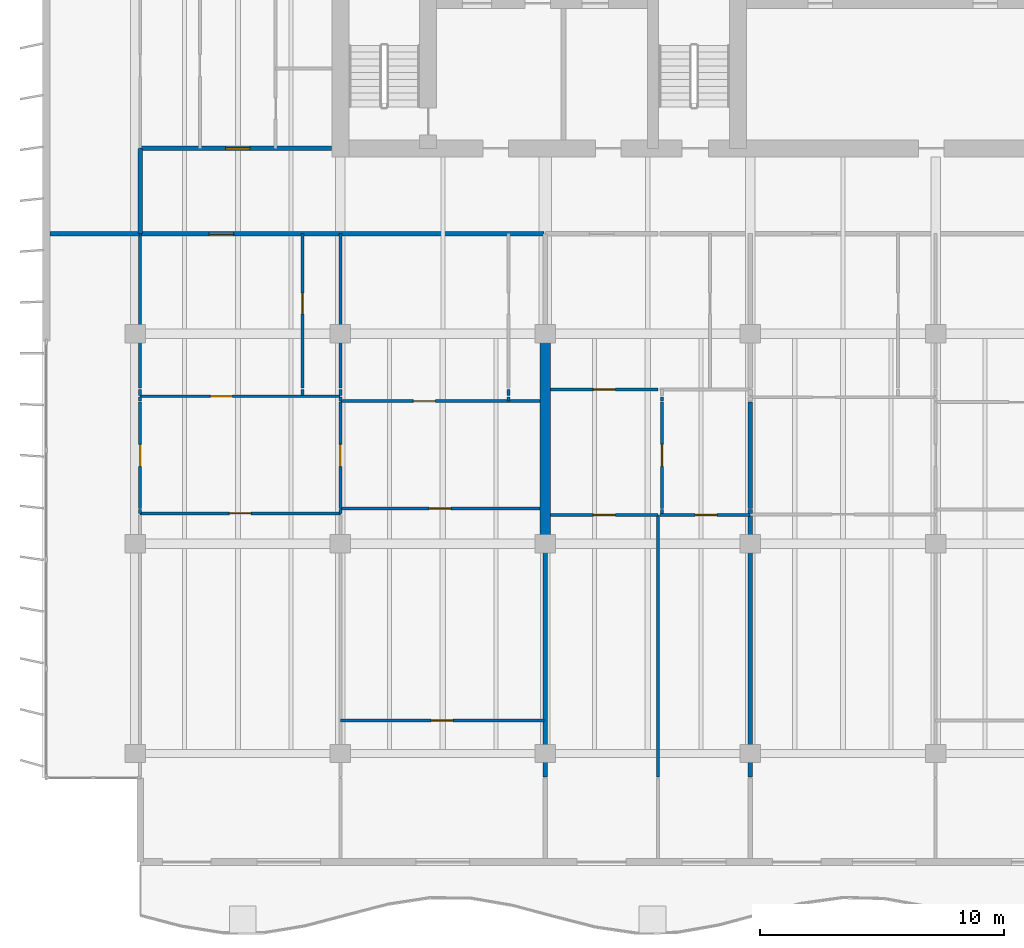
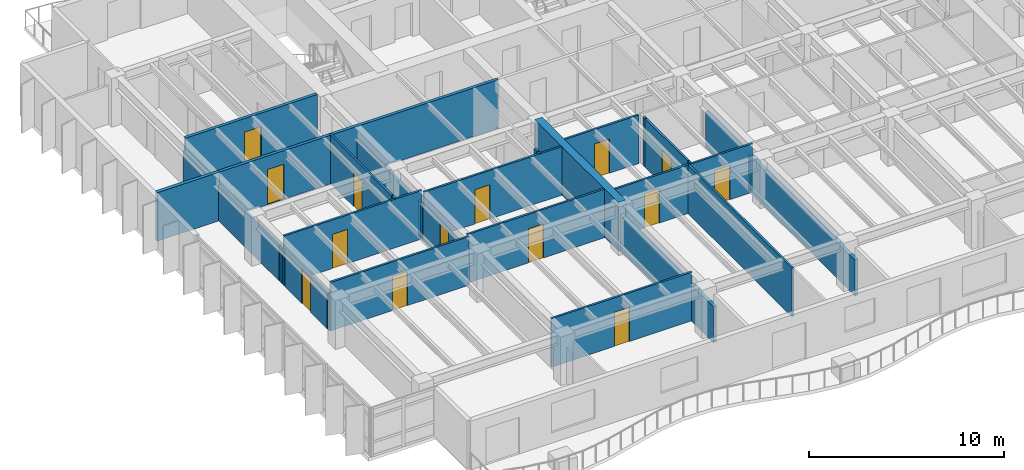
# One storey, part 8 of 19: 35 walls, 14 doors, 14 openings.
"""IFC4 building model written with IfcOpenShell, lengths in metres."""

from ifc_helpers import new_model, si_unit, direction, frame, frame_2d, origin, place, context, subcontext, project, spatial, rectangle, extrude, material, layer, layer_set, type_object, element, fill, save


model = new_model("IFC4")

# Units and contexts
model_context = context("Model", 3, precision=1e-05, world=origin(), true_north=direction((0.0, 1.0)))
body_context = subcontext(model_context, "Body", "Model", "MODEL_VIEW")
ifc_project = project(units=[si_unit("LENGTHUNIT", "METRE"), si_unit("AREAUNIT", "SQUARE_METRE"), si_unit("VOLUMEUNIT", "CUBIC_METRE"), si_unit("PLANEANGLEUNIT", "RADIAN"), si_unit("MASSUNIT", "GRAM", prefix="KILO")], contexts=[model_context])

# Site, building, storey
site_placement = place(None, origin())
site = spatial("IfcSite", under=ifc_project, at=site_placement, CompositionType="ELEMENT")
building_placement = place(site_placement, origin())
building = spatial("IfcBuilding", under=site, at=building_placement, Name="Caelmar Bay Residences", CompositionType="ELEMENT")
storey_placement = place(building_placement, frame((0.0, 0.0, 191.699951171875)))
storey = spatial("IfcBuildingStorey", under=building, at=storey_placement, Name="L53", CompositionType="ELEMENT", Elevation=191.699951171875)

# Walls
ifc_material_1 = material(Name="Concrete f'c 55 MPa (8,000 psi)", Category="concrete")
ifc_layer_1 = layer(ifc_material_1, 0.449951171875)
ifc_layer_set_1 = layer_set([ifc_layer_1], Name="Concrete f'c 55 MPa (8,000 psi)")
wall_type_1 = type_object("IfcWallType", Name="SW-XSLB-450", PredefinedType="SHEAR", material=ifc_layer_set_1)
wall_1_placement = place(storey_placement, frame((26.699951171875, 20.800048828125, 0.0), z_axis=(0.0, 0.0, 1.0), x_axis=(0.0, 1.0, 0.0)))
element("IfcWall", 1, at=wall_1_placement, inside=storey, type_object=wall_type_1, Name="L53 Transverse Cross-Slab Shear Wall W5", PredefinedType="SHEAR", context=body_context, shape_type="SweptSolid", body=[
    extrude(rectangle(XDim=8.599853515625, YDim=0.449951171875, at=frame_2d((4.2998046875, 0.0))), origin(), (0.0, 0.0, 1.0), 3.050048828125),
])
ifc_material_2 = material(Name="Double-stud acoustic fire-rated gypsum partition 180 mm")
ifc_layer_2 = layer(ifc_material_2, 0.179931640625)
ifc_layer_set_2 = layer_set([ifc_layer_2], Name="Double-stud acoustic fire-rated gypsum partition 180 mm")
wall_type_2 = type_object("IfcWallType", Name="W-COR-200", PredefinedType="PARTITIONING", material=ifc_layer_set_2)
wall_2_placement = place(storey_placement, frame((10.10009765625, 33.5048828125, 0.0), z_axis=(0.0, 0.0, 1.0), x_axis=(0.0, 1.0, 0.0)))
element("IfcWall", 2, at=wall_2_placement, inside=storey, type_object=wall_type_2, Name="L53 Partition Wall V007", PredefinedType="PARTITIONING", context=body_context, shape_type="SweptSolid", body=[
    extrude(rectangle(XDim=3.4951171875, YDim=0.179931640625, at=frame_2d((1.74755859375, 0.0))), origin(), (0.0, 0.0, 1.0), 2.262939453125),
])

# Wall, opening, door
wall_3_placement = place(storey_placement, frame((10.10498046875, 33.5, 0.0), z_axis=(0.0, 0.0, 1.0), x_axis=(1.0, 0.0, 0.0)))
wall_3 = element("IfcWall", 3, at=wall_3_placement, inside=storey, type_object=wall_type_2, Name="L53 Partition Wall H124", PredefinedType="PARTITIONING", context=body_context, shape_type="SweptSolid", body=[
    extrude(rectangle(XDim=16.544921875, YDim=0.179931640625, at=frame_2d((8.2724609375, 0.0))), origin(), (0.0, 0.0, 1.0), 3.050048828125),
])
opening_1_placement = place(wall_3_placement, frame((2.823974609375, 0.0, 0.0)))
opening_1 = element("IfcOpeningElement", 4, at=opening_1_placement, cuts=wall_3, Name="Opening D-L53-124", PredefinedType="OPENING", context=body_context, shape_type="SweptSolid", body=[
    extrude(rectangle(XDim=1.0, YDim=2.199951171875, at=frame_2d((0.5, 1.10009765625))), frame((0.0, 0.099853515625, 0.0), z_axis=(0.0, -1.0, 0.0), x_axis=(1.0, 0.0, 0.0)), (0.0, 0.0, 1.0), 0.199951171875),
])
ifc_material_3 = material(Name="Fire-rated steel and walnut architectural door assembly", Category="steel")
ifc_layer_3 = layer(ifc_material_3, 0.050048828125)
ifc_layer_set_3 = layer_set([ifc_layer_3], Name="Fire-rated steel and walnut architectural door assembly")
door_type_1 = type_object("IfcDoorType", Name="D-UNIT-1000", OperationType="NOTDEFINED", PredefinedType="DOOR", material=ifc_layer_set_3)
door_1_placement = place(opening_1_placement, origin())
door_1 = element("IfcDoor", 5, at=door_1_placement, inside=storey, type_object=door_type_1, Name="L53 Residence 01 Apartment Hall Door", OperationType="SINGLE_SWING_RIGHT", OverallHeight=2.199951171875, OverallWidth=1.0, PredefinedType="DOOR", context=body_context, shape_type="SweptSolid", body=[
    extrude(rectangle(XDim=1.0, YDim=2.199951171875, at=frame_2d((0.5, 1.10009765625))), frame((0.0, 0.02490234375, 0.0), z_axis=(0.0, -1.0, 0.0), x_axis=(1.0, 0.0, 0.0)), (0.0, 0.0, 1.0), 0.050048828125),
])
fill(opening_1, door_1)

wall_4_placement = place(storey_placement, frame((10.10009765625, 37.0, 0.0), z_axis=(0.0, 0.0, 1.0), x_axis=(1.0, 0.0, 0.0)))
wall_4 = element("IfcWall", 6, at=wall_4_placement, inside=storey, type_object=wall_type_2, Name="L53 Partition Wall H128", PredefinedType="PARTITIONING", context=body_context, shape_type="SweptSolid", body=[
    extrude(rectangle(XDim=7.844970703125, YDim=0.179931640625, at=frame_2d((3.92236328125, 0.0))), origin(), (0.0, 0.0, 1.0), 3.050048828125),
])
opening_2_placement = place(wall_4_placement, frame((3.49609375, 0.0, 0.0)))
opening_2 = element("IfcOpeningElement", 7, at=opening_2_placement, cuts=wall_4, Name="Opening D-L53-164", PredefinedType="OPENING", context=body_context, shape_type="SweptSolid", body=[
    extrude(rectangle(XDim=1.0, YDim=2.199951171875, at=frame_2d((0.5, 1.10009765625))), frame((0.0, 0.099853515625, 0.0), z_axis=(0.0, -1.0, 0.0), x_axis=(1.0, 0.0, 0.0)), (0.0, 0.0, 1.0), 0.199951171875),
])
door_2_placement = place(opening_2_placement, origin())
door_2 = element("IfcDoor", 8, at=door_2_placement, inside=storey, type_object=door_type_1, Name="L53 Residence WA Kitchen Door", OperationType="SINGLE_SWING_RIGHT", OverallHeight=2.199951171875, OverallWidth=1.0, PredefinedType="DOOR", context=body_context, shape_type="SweptSolid", body=[
    extrude(rectangle(XDim=1.0, YDim=2.199951171875, at=frame_2d((0.5, 1.10009765625))), frame((0.0, 0.02490234375, 0.0), z_axis=(0.0, -1.0, 0.0), x_axis=(1.0, 0.0, 0.0)), (0.0, 0.0, 1.0), 0.050048828125),
])
fill(opening_2, door_2)

# Wall
ifc_material_4 = material(Name="Acoustic metal-stud gypsum partition 120 mm")
ifc_layer_4 = layer(ifc_material_4, 0.1201171875)
ifc_layer_set_4 = layer_set([ifc_layer_4], Name="Acoustic metal-stud gypsum partition 120 mm")
wall_type_3 = type_object("IfcWallType", Name="W-PRT-120", PredefinedType="PARTITIONING", material=ifc_layer_set_4)
wall_5_placement = place(storey_placement, frame((10.10009765625, 22.0400390625, 0.0), z_axis=(0.0, 0.0, 1.0), x_axis=(0.0, 1.0, 0.0)))
element("IfcWall", 9, at=wall_5_placement, inside=storey, type_object=wall_type_3, Name="L53 Partition Wall V002", PredefinedType="PARTITIONING", context=body_context, shape_type="SweptSolid", body=[
    extrude(rectangle(XDim=0.159912109375, YDim=0.1201171875, at=frame_2d((0.080078125, 0.0))), origin(), (0.0, 0.0, 1.0), 2.262939453125),
])

# Wall, opening, door
wall_6_placement = place(storey_placement, frame((10.10009765625, 22.239990234375, 0.0), z_axis=(0.0, 0.0, 1.0), x_axis=(0.0, 1.0, 0.0)))
wall_6 = element("IfcWall", 10, at=wall_6_placement, inside=storey, type_object=wall_type_3, Name="L53 Partition Wall V003", PredefinedType="PARTITIONING", context=body_context, shape_type="SweptSolid", body=[
    extrude(rectangle(XDim=4.360107421875, YDim=0.1201171875, at=frame_2d((2.18017578125, 0.0))), origin(), (0.0, 0.0, 1.0), 2.262939453125),
])
opening_3_placement = place(wall_6_placement, frame((1.72998046875, 0.0, 0.0)))
opening_3 = element("IfcOpeningElement", 11, at=opening_3_placement, cuts=wall_6, Name="Opening D-L53-161", PredefinedType="OPENING", context=body_context, shape_type="SweptSolid", body=[
    extrude(rectangle(XDim=0.89990234375, YDim=2.14990234375, at=frame_2d((0.449951171875, 1.074951171875))), frame((0.0, 0.070068359375, 0.0), z_axis=(0.0, -1.0, 0.0), x_axis=(1.0, 0.0, 0.0)), (0.0, 0.0, 1.0), 0.14013671875),
])
ifc_material_5 = material(Name="Solid walnut timber interior door leaf and frame", Category="wood")
ifc_layer_5 = layer(ifc_material_5, 0.050048828125)
ifc_layer_set_5 = layer_set([ifc_layer_5], Name="Solid walnut timber interior door leaf and frame")
door_type_2 = type_object("IfcDoorType", Name="D-ROOM-900", OperationType="NOTDEFINED", PredefinedType="DOOR", material=ifc_layer_set_5)
door_3_placement = place(opening_3_placement, origin())
door_3 = element("IfcDoor", 12, at=door_3_placement, inside=storey, type_object=door_type_2, Name="L53 Residence 01 Penthouse West Salon Door", OperationType="SINGLE_SWING_LEFT", OverallHeight=2.14990234375, OverallWidth=0.89990234375, PredefinedType="DOOR", context=body_context, shape_type="SweptSolid", body=[
    extrude(rectangle(XDim=0.89990234375, YDim=2.14990234375, at=frame_2d((0.449951171875, 1.074951171875))), frame((0.0, 0.02490234375, 0.0), z_axis=(0.0, -1.0, 0.0), x_axis=(1.0, 0.0, 0.0)), (0.0, 0.0, 1.0), 0.050048828125),
])
fill(opening_3, door_3)

# Walls
wall_7_placement = place(storey_placement, frame((10.10009765625, 26.639892578125, 0.0), z_axis=(0.0, 0.0, 1.0), x_axis=(0.0, 1.0, 0.0)))
element("IfcWall", 13, at=wall_7_placement, inside=storey, type_object=wall_type_3, Name="L53 Partition Wall V004", PredefinedType="PARTITIONING", context=body_context, shape_type="SweptSolid", body=[
    extrude(rectangle(XDim=0.16015625, YDim=0.1201171875, at=frame_2d((0.080078125, 0.0))), origin(), (0.0, 0.0, 1.0), 2.262939453125),
])
wall_8_placement = place(storey_placement, frame((10.10009765625, 26.8798828125, 0.0), z_axis=(0.0, 0.0, 1.0), x_axis=(0.0, 1.0, 0.0)))
element("IfcWall", 14, at=wall_8_placement, inside=storey, type_object=wall_type_3, Name="L53 Partition Wall V005", PredefinedType="PARTITIONING", context=body_context, shape_type="SweptSolid", body=[
    extrude(rectangle(XDim=0.240234375, YDim=0.1201171875, at=frame_2d((0.1201171875, 0.0))), origin(), (0.0, 0.0, 1.0), 2.262939453125),
])
wall_9_placement = place(storey_placement, frame((10.10009765625, 27.179931640625, 0.0), z_axis=(0.0, 0.0, 1.0), x_axis=(0.0, 1.0, 0.0)))
element("IfcWall", 15, at=wall_9_placement, inside=storey, type_object=wall_type_3, Name="L53 Partition Wall V006", PredefinedType="PARTITIONING", context=body_context, shape_type="SweptSolid", body=[
    extrude(rectangle(XDim=6.320068359375, YDim=0.1201171875, at=frame_2d((3.16015625, 0.0))), origin(), (0.0, 0.0, 1.0), 2.262939453125),
])
wall_10_placement = place(storey_placement, frame((16.7529296875, 26.8798828125, 0.0), z_axis=(0.0, 0.0, 1.0), x_axis=(0.0, 1.0, 0.0)))
element("IfcWall", 16, at=wall_10_placement, inside=storey, type_object=wall_type_3, Name="L53 Partition Wall V012", PredefinedType="PARTITIONING", context=body_context, shape_type="SweptSolid", body=[
    extrude(rectangle(XDim=0.240234375, YDim=0.1201171875, at=frame_2d((0.1201171875, 0.0))), origin(), (0.0, 0.0, 1.0), 3.050048828125),
])

# Wall, opening, door
wall_11_placement = place(storey_placement, frame((16.7529296875, 27.179931640625, 0.0), z_axis=(0.0, 0.0, 1.0), x_axis=(0.0, 1.0, 0.0)))
wall_11 = element("IfcWall", 17, at=wall_11_placement, inside=storey, type_object=wall_type_3, Name="L53 Partition Wall V013", PredefinedType="PARTITIONING", context=body_context, shape_type="SweptSolid", body=[
    extrude(rectangle(XDim=6.320068359375, YDim=0.1201171875, at=frame_2d((3.16015625, 0.0))), origin(), (0.0, 0.0, 1.0), 3.050048828125),
])
opening_4_placement = place(wall_11_placement, frame((3.034912109375, 0.0, 0.0)))
opening_4 = element("IfcOpeningElement", 18, at=opening_4_placement, cuts=wall_11, Name="Opening D-L53-125", PredefinedType="OPENING", context=body_context, shape_type="SweptSolid", body=[
    extrude(rectangle(XDim=0.85009765625, YDim=2.10009765625, at=frame_2d((0.425048828125, 1.050048828125))), frame((0.0, 0.070068359375, 0.0), z_axis=(0.0, -1.0, 0.0), x_axis=(1.0, 0.0, 0.0)), (0.0, 0.0, 1.0), 0.14013671875),
])
ifc_layer_6 = layer(ifc_material_5, 0.050048828125)
ifc_layer_set_6 = layer_set([ifc_layer_6], Name="Solid walnut timber interior door leaf and frame")
door_type_3 = type_object("IfcDoorType", Name="D-BATH-850", OperationType="NOTDEFINED", PredefinedType="DOOR", material=ifc_layer_set_6)
door_4_placement = place(opening_4_placement, origin())
door_4 = element("IfcDoor", 19, at=door_4_placement, inside=storey, type_object=door_type_3, Name="L53 Residence 01 Guest Bathroom Door", OperationType="SINGLE_SWING_LEFT", OverallHeight=2.10009765625, OverallWidth=0.85009765625, PredefinedType="DOOR", context=body_context, shape_type="SweptSolid", body=[
    extrude(rectangle(XDim=0.85009765625, YDim=2.10009765625, at=frame_2d((0.425048828125, 1.050048828125))), frame((0.0, 0.02490234375, 0.0), z_axis=(0.0, -1.0, 0.0), x_axis=(1.0, 0.0, 0.0)), (0.0, 0.0, 1.0), 0.050048828125),
])
fill(opening_4, door_4)

# Wall
wall_12_placement = place(storey_placement, frame((18.300048828125, 22.0400390625, 0.0), z_axis=(0.0, 0.0, 1.0), x_axis=(0.0, 1.0, 0.0)))
element("IfcWall", 20, at=wall_12_placement, inside=storey, type_object=wall_type_3, Name="L53 Partition Wall V016", PredefinedType="PARTITIONING", context=body_context, shape_type="SweptSolid", body=[
    extrude(rectangle(XDim=0.159912109375, YDim=0.1201171875, at=frame_2d((0.080078125, 0.0))), origin(), (0.0, 0.0, 1.0), 2.262939453125),
])

# Wall, opening, door
wall_13_placement = place(storey_placement, frame((18.300048828125, 22.239990234375, 0.0), z_axis=(0.0, 0.0, 1.0), x_axis=(0.0, 1.0, 0.0)))
wall_13 = element("IfcWall", 21, at=wall_13_placement, inside=storey, type_object=wall_type_3, Name="L53 Partition Wall V017", PredefinedType="PARTITIONING", context=body_context, shape_type="SweptSolid", body=[
    extrude(rectangle(XDim=4.360107421875, YDim=0.1201171875, at=frame_2d((2.18017578125, 0.0))), origin(), (0.0, 0.0, 1.0), 2.262939453125),
])
opening_5_placement = place(wall_13_placement, frame((1.72998046875, 0.0, 0.0)))
opening_5 = element("IfcOpeningElement", 22, at=opening_5_placement, cuts=wall_13, Name="Opening D-L53-128", PredefinedType="OPENING", context=body_context, shape_type="SweptSolid", body=[
    extrude(rectangle(XDim=0.89990234375, YDim=2.14990234375, at=frame_2d((0.449951171875, 1.074951171875))), frame((0.0, 0.070068359375, 0.0), z_axis=(0.0, -1.0, 0.0), x_axis=(1.0, 0.0, 0.0)), (0.0, 0.0, 1.0), 0.14013671875),
])
door_5_placement = place(opening_5_placement, origin())
door_5 = element("IfcDoor", 23, at=door_5_placement, inside=storey, type_object=door_type_2, Name="L53 Residence 01 Conference Study 1 Door", OperationType="SINGLE_SWING_RIGHT", OverallHeight=2.14990234375, OverallWidth=0.89990234375, PredefinedType="DOOR", context=body_context, shape_type="SweptSolid", body=[
    extrude(rectangle(XDim=0.89990234375, YDim=2.14990234375, at=frame_2d((0.449951171875, 1.074951171875))), frame((0.0, 0.02490234375, 0.0), z_axis=(0.0, -1.0, 0.0), x_axis=(1.0, 0.0, 0.0)), (0.0, 0.0, 1.0), 0.050048828125),
])
fill(opening_5, door_5)

# Walls
wall_14_placement = place(storey_placement, frame((18.300048828125, 26.639892578125, 0.0), z_axis=(0.0, 0.0, 1.0), x_axis=(0.0, 1.0, 0.0)))
element("IfcWall", 24, at=wall_14_placement, inside=storey, type_object=wall_type_3, Name="L53 Partition Wall V018", PredefinedType="PARTITIONING", context=body_context, shape_type="SweptSolid", body=[
    extrude(rectangle(XDim=0.16015625, YDim=0.1201171875, at=frame_2d((0.080078125, 0.0))), origin(), (0.0, 0.0, 1.0), 2.262939453125),
])
wall_15_placement = place(storey_placement, frame((18.300048828125, 26.8798828125, 0.0), z_axis=(0.0, 0.0, 1.0), x_axis=(0.0, 1.0, 0.0)))
element("IfcWall", 25, at=wall_15_placement, inside=storey, type_object=wall_type_3, Name="L53 Partition Wall V019", PredefinedType="PARTITIONING", context=body_context, shape_type="SweptSolid", body=[
    extrude(rectangle(XDim=0.240234375, YDim=0.1201171875, at=frame_2d((0.1201171875, 0.0))), origin(), (0.0, 0.0, 1.0), 2.262939453125),
])
wall_16_placement = place(storey_placement, frame((18.300048828125, 27.179931640625, 0.0), z_axis=(0.0, 0.0, 1.0), x_axis=(0.0, 1.0, 0.0)))
element("IfcWall", 26, at=wall_16_placement, inside=storey, type_object=wall_type_3, Name="L53 Partition Wall V020", PredefinedType="PARTITIONING", context=body_context, shape_type="SweptSolid", body=[
    extrude(rectangle(XDim=6.320068359375, YDim=0.1201171875, at=frame_2d((3.16015625, 0.0))), origin(), (0.0, 0.0, 1.0), 2.262939453125),
])
wall_17_placement = place(storey_placement, frame((25.199951171875, 26.639892578125, 0.0), z_axis=(0.0, 0.0, 1.0), x_axis=(0.0, 1.0, 0.0)))
element("IfcWall", 27, at=wall_17_placement, inside=storey, type_object=wall_type_3, Name="L53 Partition Wall V022", PredefinedType="PARTITIONING", context=body_context, shape_type="SweptSolid", body=[
    extrude(rectangle(XDim=0.16015625, YDim=0.1201171875, at=frame_2d((0.080078125, 0.0))), origin(), (0.0, 0.0, 1.0), 3.050048828125),
])
wall_18_placement = place(storey_placement, frame((25.199951171875, 26.8798828125, 0.0), z_axis=(0.0, 0.0, 1.0), x_axis=(0.0, 1.0, 0.0)))
element("IfcWall", 28, at=wall_18_placement, inside=storey, type_object=wall_type_3, Name="L53 Partition Wall V023", PredefinedType="PARTITIONING", context=body_context, shape_type="SweptSolid", body=[
    extrude(rectangle(XDim=0.240234375, YDim=0.1201171875, at=frame_2d((0.1201171875, 0.0))), origin(), (0.0, 0.0, 1.0), 3.050048828125),
])
wall_19_placement = place(storey_placement, frame((31.320068359375, 11.239990234375, 0.0), z_axis=(0.0, 0.0, 1.0), x_axis=(0.0, 1.0, 0.0)))
element("IfcWall", 29, at=wall_19_placement, inside=storey, type_object=wall_type_3, Name="L53 Partition Wall V033", PredefinedType="PARTITIONING", context=body_context, shape_type="SweptSolid", body=[
    extrude(rectangle(XDim=10.72998046875, YDim=0.1201171875, at=frame_2d((5.364990234375, 0.0))), origin(), (0.0, 0.0, 1.0), 3.050048828125),
])
wall_20_placement = place(storey_placement, frame((31.486083984375, 22.0400390625, 0.0), z_axis=(0.0, 0.0, 1.0), x_axis=(0.0, 1.0, 0.0)))
element("IfcWall", 30, at=wall_20_placement, inside=storey, type_object=wall_type_3, Name="L53 Partition Wall V035", PredefinedType="PARTITIONING", context=body_context, shape_type="SweptSolid", body=[
    extrude(rectangle(XDim=0.159912109375, YDim=0.1201171875, at=frame_2d((0.080078125, 0.0))), origin(), (0.0, 0.0, 1.0), 3.050048828125),
])

# Wall, opening, door
wall_21_placement = place(storey_placement, frame((31.486083984375, 22.239990234375, 0.0), z_axis=(0.0, 0.0, 1.0), x_axis=(0.0, 1.0, 0.0)))
wall_21 = element("IfcWall", 31, at=wall_21_placement, inside=storey, type_object=wall_type_3, Name="L53 Partition Wall V036", PredefinedType="PARTITIONING", context=body_context, shape_type="SweptSolid", body=[
    extrude(rectangle(XDim=4.360107421875, YDim=0.1201171875, at=frame_2d((2.18017578125, 0.0))), origin(), (0.0, 0.0, 1.0), 3.050048828125),
])
opening_6_placement = place(wall_21_placement, frame((1.72998046875, 0.0, 0.0)))
opening_6 = element("IfcOpeningElement", 32, at=opening_6_placement, cuts=wall_21, Name="Opening D-L53-136", PredefinedType="OPENING", context=body_context, shape_type="SweptSolid", body=[
    extrude(rectangle(XDim=0.89990234375, YDim=2.14990234375, at=frame_2d((0.449951171875, 1.074951171875))), frame((0.0, 0.070068359375, 0.0), z_axis=(0.0, -1.0, 0.0), x_axis=(1.0, 0.0, 0.0)), (0.0, 0.0, 1.0), 0.14013671875),
])
door_6_placement = place(opening_6_placement, origin())
door_6 = element("IfcDoor", 33, at=door_6_placement, inside=storey, type_object=door_type_2, Name="L53 Residence 02 Private Meeting Room Door", OperationType="SINGLE_SWING_RIGHT", OverallHeight=2.14990234375, OverallWidth=0.89990234375, PredefinedType="DOOR", context=body_context, shape_type="SweptSolid", body=[
    extrude(rectangle(XDim=0.89990234375, YDim=2.14990234375, at=frame_2d((0.449951171875, 1.074951171875))), frame((0.0, 0.02490234375, 0.0), z_axis=(0.0, -1.0, 0.0), x_axis=(1.0, 0.0, 0.0)), (0.0, 0.0, 1.0), 0.050048828125),
])
fill(opening_6, door_6)

# Wall
wall_22_placement = place(storey_placement, frame((31.486083984375, 26.639892578125, 0.0), z_axis=(0.0, 0.0, 1.0), x_axis=(0.0, 1.0, 0.0)))
element("IfcWall", 34, at=wall_22_placement, inside=storey, type_object=wall_type_3, Name="L53 Partition Wall V037", PredefinedType="PARTITIONING", context=body_context, shape_type="SweptSolid", body=[
    extrude(rectangle(XDim=0.16015625, YDim=0.1201171875, at=frame_2d((0.080078125, 0.0))), origin(), (0.0, 0.0, 1.0), 3.050048828125),
])

# Wall, opening, door
wall_23_placement = place(storey_placement, frame((18.300048828125, 13.550048828125, 0.0), z_axis=(0.0, 0.0, 1.0), x_axis=(1.0, 0.0, 0.0)))
wall_23 = element("IfcWall", 35, at=wall_23_placement, inside=storey, type_object=wall_type_3, Name="L53 Partition Wall H104", PredefinedType="PARTITIONING", context=body_context, shape_type="SweptSolid", body=[
    extrude(rectangle(XDim=8.349853515625, YDim=0.1201171875, at=frame_2d((4.1748046875, 0.0))), origin(), (0.0, 0.0, 1.0), 3.050048828125),
])
opening_7_placement = place(wall_23_placement, frame((3.72509765625, 0.0, 0.0)))
opening_7 = element("IfcOpeningElement", 36, at=opening_7_placement, cuts=wall_23, Name="Opening D-L53-132", PredefinedType="OPENING", context=body_context, shape_type="SweptSolid", body=[
    extrude(rectangle(XDim=0.89990234375, YDim=2.14990234375, at=frame_2d((0.449951171875, 1.074951171875))), frame((0.0, 0.070068359375, 0.0), z_axis=(0.0, -1.0, 0.0), x_axis=(1.0, 0.0, 0.0)), (0.0, 0.0, 1.0), 0.14013671875),
])
door_7_placement = place(opening_7_placement, origin())
door_7 = element("IfcDoor", 37, at=door_7_placement, inside=storey, type_object=door_type_2, Name="L53 Residence 01 Primary Bedroom 1 Door", OperationType="SINGLE_SWING_RIGHT", OverallHeight=2.14990234375, OverallWidth=0.89990234375, PredefinedType="DOOR", context=body_context, shape_type="SweptSolid", body=[
    extrude(rectangle(XDim=0.89990234375, YDim=2.14990234375, at=frame_2d((0.449951171875, 1.074951171875))), frame((0.0, 0.02490234375, 0.0), z_axis=(0.0, -1.0, 0.0), x_axis=(1.0, 0.0, 0.0)), (0.0, 0.0, 1.0), 0.050048828125),
])
fill(opening_7, door_7)

wall_24_placement = place(storey_placement, frame((26.919921875, 21.969970703125, 0.0), z_axis=(0.0, 0.0, 1.0), x_axis=(1.0, 0.0, 0.0)))
wall_24 = element("IfcWall", 38, at=wall_24_placement, inside=storey, type_object=wall_type_3, Name="L53 Partition Wall H108", PredefinedType="PARTITIONING", context=body_context, shape_type="SweptSolid", body=[
    extrude(rectangle(XDim=4.400146484375, YDim=0.1201171875, at=frame_2d((2.2001953125, 0.0))), origin(), (0.0, 0.0, 1.0), 3.050048828125),
])
opening_8_placement = place(wall_24_placement, frame((1.75, 0.0, 0.0)))
opening_8 = element("IfcOpeningElement", 39, at=opening_8_placement, cuts=wall_24, Name="Opening D-L53-137", PredefinedType="OPENING", context=body_context, shape_type="SweptSolid", body=[
    extrude(rectangle(XDim=0.89990234375, YDim=2.14990234375, at=frame_2d((0.449951171875, 1.074951171875))), frame((0.0, 0.070068359375, 0.0), z_axis=(0.0, -1.0, 0.0), x_axis=(1.0, 0.0, 0.0)), (0.0, 0.0, 1.0), 0.14013671875),
])
door_8_placement = place(opening_8_placement, origin())
door_8 = element("IfcDoor", 40, at=door_8_placement, inside=storey, type_object=door_type_2, Name="L53 Residence 02 Living Room Door", OperationType="SINGLE_SWING_LEFT", OverallHeight=2.14990234375, OverallWidth=0.89990234375, PredefinedType="DOOR", context=body_context, shape_type="SweptSolid", body=[
    extrude(rectangle(XDim=0.89990234375, YDim=2.14990234375, at=frame_2d((0.449951171875, 1.074951171875))), frame((0.0, 0.02490234375, 0.0), z_axis=(0.0, -1.0, 0.0), x_axis=(1.0, 0.0, 0.0)), (0.0, 0.0, 1.0), 0.050048828125),
])
fill(opening_8, door_8)

wall_25_placement = place(storey_placement, frame((31.39990234375, 21.969970703125, 0.0), z_axis=(0.0, 0.0, 1.0), x_axis=(1.0, 0.0, 0.0)))
wall_25 = element("IfcWall", 41, at=wall_25_placement, inside=storey, type_object=wall_type_3, Name="L53 Partition Wall H109", PredefinedType="PARTITIONING", context=body_context, shape_type="SweptSolid", body=[
    extrude(rectangle(XDim=3.7001953125, YDim=0.1201171875, at=frame_2d((1.85009765625, 0.0))), origin(), (0.0, 0.0, 1.0), 3.050048828125),
])
opening_9_placement = place(wall_25_placement, frame((1.443115234375, 0.0, 0.0)))
opening_9 = element("IfcOpeningElement", 42, at=opening_9_placement, cuts=wall_25, Name="Opening D-L53-138", PredefinedType="OPENING", context=body_context, shape_type="SweptSolid", body=[
    extrude(rectangle(XDim=0.89990234375, YDim=2.14990234375, at=frame_2d((0.449951171875, 1.074951171875))), frame((0.0, 0.070068359375, 0.0), z_axis=(0.0, -1.0, 0.0), x_axis=(1.0, 0.0, 0.0)), (0.0, 0.0, 1.0), 0.14013671875),
])
door_9_placement = place(opening_9_placement, origin())
door_9 = element("IfcDoor", 43, at=door_9_placement, inside=storey, type_object=door_type_2, Name="L53 Residence 02 Primary Bedroom Door", OperationType="SINGLE_SWING_RIGHT", OverallHeight=2.14990234375, OverallWidth=0.89990234375, PredefinedType="DOOR", context=body_context, shape_type="SweptSolid", body=[
    extrude(rectangle(XDim=0.89990234375, YDim=2.14990234375, at=frame_2d((0.449951171875, 1.074951171875))), frame((0.0, 0.02490234375, 0.0), z_axis=(0.0, -1.0, 0.0), x_axis=(1.0, 0.0, 0.0)), (0.0, 0.0, 1.0), 0.050048828125),
])
fill(opening_9, door_9)

wall_26_placement = place(storey_placement, frame((10.10009765625, 22.0400390625, 0.0), z_axis=(0.0, 0.0, 1.0), x_axis=(1.0, 0.0, 0.0)))
wall_26 = element("IfcWall", 44, at=wall_26_placement, inside=storey, type_object=wall_type_3, Name="L53 Partition Wall H112", PredefinedType="PARTITIONING", context=body_context, shape_type="SweptSolid", body=[
    extrude(rectangle(XDim=8.199951171875, YDim=0.1201171875, at=frame_2d((4.10009765625, 0.0))), origin(), (0.0, 0.0, 1.0), 3.050048828125),
])
opening_10_placement = place(wall_26_placement, frame((3.64990234375, 0.0, 0.0)))
opening_10 = element("IfcOpeningElement", 45, at=opening_10_placement, cuts=wall_26, Name="Opening D-L53-127", PredefinedType="OPENING", context=body_context, shape_type="SweptSolid", body=[
    extrude(rectangle(XDim=0.89990234375, YDim=2.14990234375, at=frame_2d((0.449951171875, 1.074951171875))), frame((0.0, 0.070068359375, 0.0), z_axis=(0.0, -1.0, 0.0), x_axis=(1.0, 0.0, 0.0)), (0.0, 0.0, 1.0), 0.14013671875),
])
door_10_placement = place(opening_10_placement, origin())
door_10 = element("IfcDoor", 46, at=door_10_placement, inside=storey, type_object=door_type_2, Name="L53 Residence 01 Penthouse Living Salon Door", OperationType="SINGLE_SWING_LEFT", OverallHeight=2.14990234375, OverallWidth=0.89990234375, PredefinedType="DOOR", context=body_context, shape_type="SweptSolid", body=[
    extrude(rectangle(XDim=0.89990234375, YDim=2.14990234375, at=frame_2d((0.449951171875, 1.074951171875))), frame((0.0, 0.02490234375, 0.0), z_axis=(0.0, -1.0, 0.0), x_axis=(1.0, 0.0, 0.0)), (0.0, 0.0, 1.0), 0.050048828125),
])
fill(opening_10, door_10)

wall_27_placement = place(storey_placement, frame((18.304931640625, 22.239990234375, 0.0), z_axis=(0.0, 0.0, 1.0), x_axis=(1.0, 0.0, 0.0)))
wall_27 = element("IfcWall", 47, at=wall_27_placement, inside=storey, type_object=wall_type_3, Name="L53 Partition Wall H114", PredefinedType="PARTITIONING", context=body_context, shape_type="SweptSolid", body=[
    extrude(rectangle(XDim=8.175048828125, YDim=0.1201171875, at=frame_2d((4.08740234375, 0.0))), origin(), (0.0, 0.0, 1.0), 3.050048828125),
])
opening_11_placement = place(wall_27_placement, frame((3.637451171875, 0.0, 0.0)))
opening_11 = element("IfcOpeningElement", 48, at=opening_11_placement, cuts=wall_27, Name="Opening D-L53-131", PredefinedType="OPENING", context=body_context, shape_type="SweptSolid", body=[
    extrude(rectangle(XDim=0.89990234375, YDim=2.14990234375, at=frame_2d((0.449951171875, 1.074951171875))), frame((0.0, 0.070068359375, 0.0), z_axis=(0.0, -1.0, 0.0), x_axis=(1.0, 0.0, 0.0)), (0.0, 0.0, 1.0), 0.14013671875),
])
door_11_placement = place(opening_11_placement, origin())
door_11 = element("IfcDoor", 49, at=door_11_placement, inside=storey, type_object=door_type_2, Name="L53 Residence 01 Penthouse Sitting Salon 1 Door", OperationType="SINGLE_SWING_LEFT", OverallHeight=2.14990234375, OverallWidth=0.89990234375, PredefinedType="DOOR", context=body_context, shape_type="SweptSolid", body=[
    extrude(rectangle(XDim=0.89990234375, YDim=2.14990234375, at=frame_2d((0.449951171875, 1.074951171875))), frame((0.0, 0.02490234375, 0.0), z_axis=(0.0, -1.0, 0.0), x_axis=(1.0, 0.0, 0.0)), (0.0, 0.0, 1.0), 0.050048828125),
])
fill(opening_11, door_11)

wall_28_placement = place(storey_placement, frame((18.300048828125, 26.639892578125, 0.0), z_axis=(0.0, 0.0, 1.0), x_axis=(1.0, 0.0, 0.0)))
wall_28 = element("IfcWall", 50, at=wall_28_placement, inside=storey, type_object=wall_type_3, Name="L53 Partition Wall H116", PredefinedType="PARTITIONING", context=body_context, shape_type="SweptSolid", body=[
    extrude(rectangle(XDim=8.179931640625, YDim=0.1201171875, at=frame_2d((4.08984375, 0.0))), origin(), (0.0, 0.0, 1.0), 3.050048828125),
])
opening_12_placement = place(wall_28_placement, frame((3.0, 0.0, 0.0)))
opening_12 = element("IfcOpeningElement", 51, at=opening_12_placement, cuts=wall_28, Name="Opening D-L53-129", PredefinedType="OPENING", context=body_context, shape_type="SweptSolid", body=[
    extrude(rectangle(XDim=0.89990234375, YDim=2.14990234375, at=frame_2d((0.449951171875, 1.074951171875))), frame((0.0, 0.070068359375, 0.0), z_axis=(0.0, -1.0, 0.0), x_axis=(1.0, 0.0, 0.0)), (0.0, 0.0, 1.0), 0.14013671875),
])
door_12_placement = place(opening_12_placement, origin())
door_12 = element("IfcDoor", 52, at=door_12_placement, inside=storey, type_object=door_type_2, Name="L53 Residence 01 Private Meeting Room 1 Door", OperationType="SINGLE_SWING_LEFT", OverallHeight=2.14990234375, OverallWidth=0.89990234375, PredefinedType="DOOR", context=body_context, shape_type="SweptSolid", body=[
    extrude(rectangle(XDim=0.89990234375, YDim=2.14990234375, at=frame_2d((0.449951171875, 1.074951171875))), frame((0.0, 0.02490234375, 0.0), z_axis=(0.0, -1.0, 0.0), x_axis=(1.0, 0.0, 0.0)), (0.0, 0.0, 1.0), 0.050048828125),
])
fill(opening_12, door_12)

wall_29_placement = place(storey_placement, frame((10.10009765625, 26.840087890625, 0.0), z_axis=(0.0, 0.0, 1.0), x_axis=(1.0, 0.0, 0.0)))
wall_29 = element("IfcWall", 53, at=wall_29_placement, inside=storey, type_object=wall_type_3, Name="L53 Partition Wall H118", PredefinedType="PARTITIONING", context=body_context, shape_type="SweptSolid", body=[
    extrude(rectangle(XDim=8.19482421875, YDim=0.1201171875, at=frame_2d((4.097412109375, 0.0))), origin(), (0.0, 0.0, 1.0), 3.050048828125),
])
opening_13_placement = place(wall_29_placement, frame((2.87646484375, 0.0, 0.0)))
opening_13 = element("IfcOpeningElement", 54, at=opening_13_placement, cuts=wall_29, Name="Opening D-L53-126", PredefinedType="OPENING", context=body_context, shape_type="SweptSolid", body=[
    extrude(rectangle(XDim=0.89990234375, YDim=2.14990234375, at=frame_2d((0.449951171875, 1.074951171875))), frame((0.0, 0.070068359375, 0.0), z_axis=(0.0, -1.0, 0.0), x_axis=(1.0, 0.0, 0.0)), (0.0, 0.0, 1.0), 0.14013671875),
])
door_13_placement = place(opening_13_placement, origin())
door_13 = element("IfcDoor", 55, at=door_13_placement, inside=storey, type_object=door_type_2, Name="L53 Residence 01 Kitchen Door", OperationType="SINGLE_SWING_RIGHT", OverallHeight=2.14990234375, OverallWidth=0.89990234375, PredefinedType="DOOR", context=body_context, shape_type="SweptSolid", body=[
    extrude(rectangle(XDim=0.89990234375, YDim=2.14990234375, at=frame_2d((0.449951171875, 1.074951171875))), frame((0.0, 0.02490234375, 0.0), z_axis=(0.0, -1.0, 0.0), x_axis=(1.0, 0.0, 0.0)), (0.0, 0.0, 1.0), 0.050048828125),
])
fill(opening_13, door_13)

wall_30_placement = place(storey_placement, frame((26.919921875, 27.1201171875, 0.0), z_axis=(0.0, 0.0, 1.0), x_axis=(1.0, 0.0, 0.0)))
wall_30 = element("IfcWall", 56, at=wall_30_placement, inside=storey, type_object=wall_type_3, Name="L53 Partition Wall H120", PredefinedType="PARTITIONING", context=body_context, shape_type="SweptSolid", body=[
    extrude(rectangle(XDim=4.400146484375, YDim=0.1201171875, at=frame_2d((2.2001953125, 0.0))), origin(), (0.0, 0.0, 1.0), 3.050048828125),
])
opening_14_placement = place(wall_30_placement, frame((1.75, 0.0, 0.0)))
opening_14 = element("IfcOpeningElement", 57, at=opening_14_placement, cuts=wall_30, Name="Opening D-L53-135", PredefinedType="OPENING", context=body_context, shape_type="SweptSolid", body=[
    extrude(rectangle(XDim=0.89990234375, YDim=2.14990234375, at=frame_2d((0.449951171875, 1.074951171875))), frame((0.0, 0.070068359375, 0.0), z_axis=(0.0, -1.0, 0.0), x_axis=(1.0, 0.0, 0.0)), (0.0, 0.0, 1.0), 0.14013671875),
])
door_14_placement = place(opening_14_placement, origin())
door_14 = element("IfcDoor", 58, at=door_14_placement, inside=storey, type_object=door_type_2, Name="L53 Residence 02 Kitchen Door", OperationType="SINGLE_SWING_LEFT", OverallHeight=2.14990234375, OverallWidth=0.89990234375, PredefinedType="DOOR", context=body_context, shape_type="SweptSolid", body=[
    extrude(rectangle(XDim=0.89990234375, YDim=2.14990234375, at=frame_2d((0.449951171875, 1.074951171875))), frame((0.0, 0.02490234375, 0.0), z_axis=(0.0, -1.0, 0.0), x_axis=(1.0, 0.0, 0.0)), (0.0, 0.0, 1.0), 0.050048828125),
])
fill(opening_14, door_14)

# Walls
ifc_material_6 = material(Name="Acoustic twin-stud fire-rated inter-tenancy partition 200 mm")
ifc_layer_7 = layer(ifc_material_6, 0.199951171875)
ifc_layer_set_7 = layer_set([ifc_layer_7], Name="Acoustic twin-stud fire-rated inter-tenancy partition 200 mm")
wall_type_4 = type_object("IfcWallType", Name="W-PTY-200", PredefinedType="PARTITIONING", material=ifc_layer_set_7)
wall_31_placement = place(storey_placement, frame((26.699951171875, 11.239990234375, 0.0), z_axis=(0.0, 0.0, 1.0), x_axis=(0.0, 1.0, 0.0)))
element("IfcWall", 59, at=wall_31_placement, inside=storey, type_object=wall_type_4, Name="L53 Partition Wall V028", PredefinedType="PARTITIONING", context=body_context, shape_type="SweptSolid", body=[
    extrude(rectangle(XDim=9.554931640625, YDim=0.199951171875, at=frame_2d((4.77734375, 0.0))), origin(), (0.0, 0.0, 1.0), 2.262939453125),
])
wall_32_placement = place(storey_placement, frame((35.10009765625, 11.239990234375, 0.0), z_axis=(0.0, 0.0, 1.0), x_axis=(0.0, 1.0, 0.0)))
element("IfcWall", 60, at=wall_32_placement, inside=storey, type_object=wall_type_4, Name="L53 Partition Wall V041", PredefinedType="PARTITIONING", context=body_context, shape_type="SweptSolid", body=[
    extrude(rectangle(XDim=10.72998046875, YDim=0.199951171875, at=frame_2d((5.364990234375, 0.0))), origin(), (0.0, 0.0, 1.0), 2.262939453125),
])
wall_33_placement = place(storey_placement, frame((35.10009765625, 22.0400390625, 0.0), z_axis=(0.0, 0.0, 1.0), x_axis=(0.0, 1.0, 0.0)))
element("IfcWall", 61, at=wall_33_placement, inside=storey, type_object=wall_type_4, Name="L53 Partition Wall V042", PredefinedType="PARTITIONING", context=body_context, shape_type="SweptSolid", body=[
    extrude(rectangle(XDim=0.159912109375, YDim=0.199951171875, at=frame_2d((0.080078125, 0.0))), origin(), (0.0, 0.0, 1.0), 2.262939453125),
])
wall_34_placement = place(storey_placement, frame((35.10009765625, 22.239990234375, 0.0), z_axis=(0.0, 0.0, 1.0), x_axis=(0.0, 1.0, 0.0)))
element("IfcWall", 62, at=wall_34_placement, inside=storey, type_object=wall_type_4, Name="L53 Partition Wall V043", PredefinedType="PARTITIONING", context=body_context, shape_type="SweptSolid", body=[
    extrude(rectangle(XDim=4.360107421875, YDim=0.199951171875, at=frame_2d((2.18017578125, 0.0))), origin(), (0.0, 0.0, 1.0), 2.262939453125),
])
wall_35_placement = place(storey_placement, frame((6.39501953125, 33.5, 0.0), z_axis=(0.0, 0.0, 1.0), x_axis=(1.0, 0.0, 0.0)))
element("IfcWall", 63, at=wall_35_placement, inside=storey, type_object=wall_type_4, Name="L53 Partition Wall H123", PredefinedType="PARTITIONING", context=body_context, shape_type="SweptSolid", body=[
    extrude(rectangle(XDim=3.705078125, YDim=0.199951171875, at=frame_2d((1.8525390625, 0.0))), origin(), (0.0, 0.0, 1.0), 3.050048828125),
])

save(model, "model.ifc")
